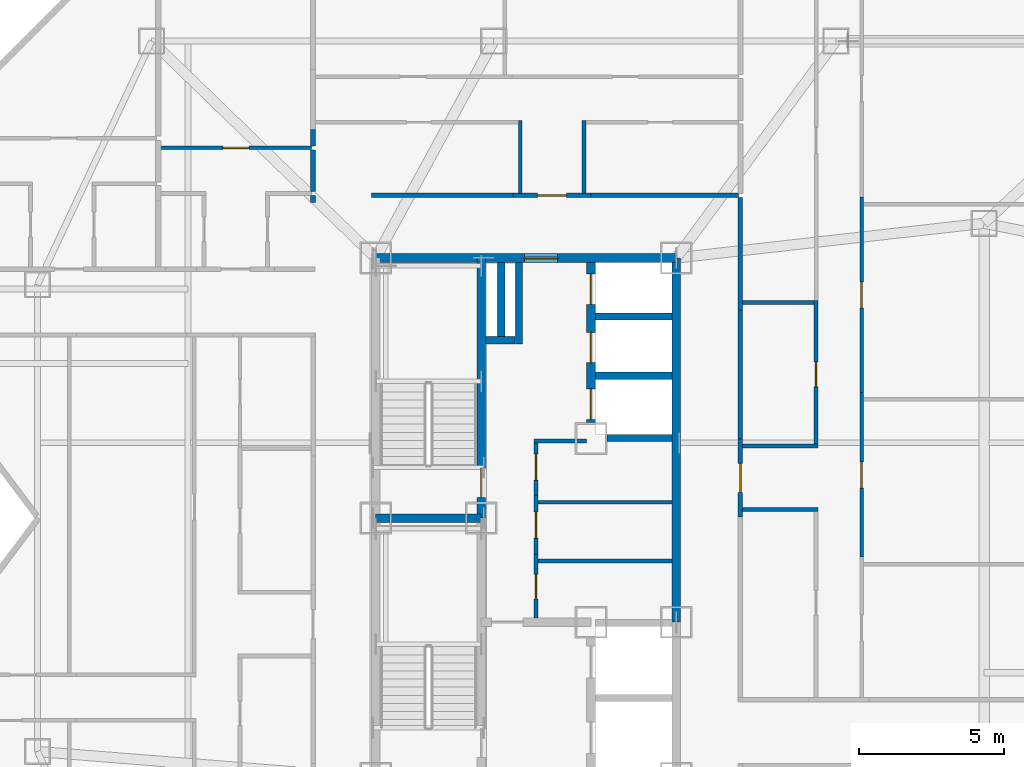
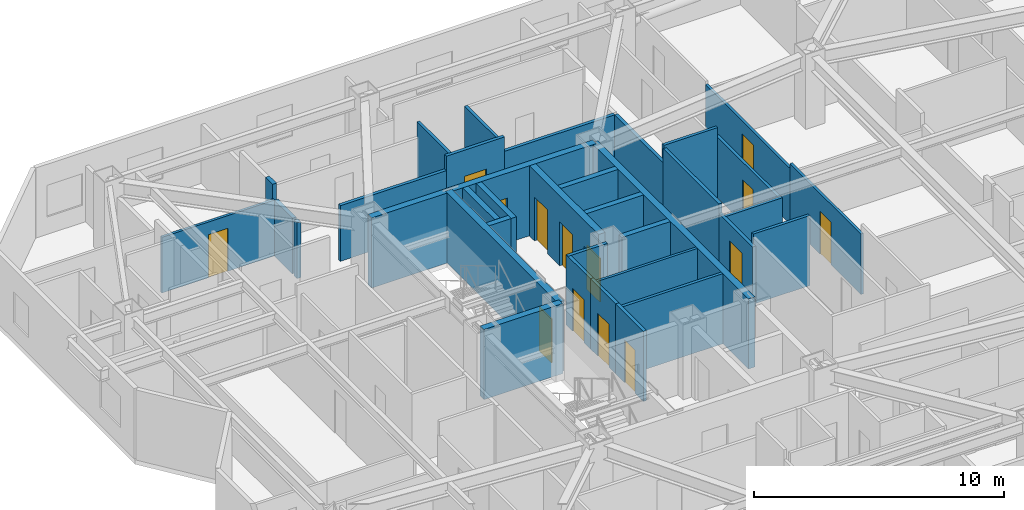
# One storey, part 8 of 12: 35 walls, 14 doors, 14 openings.
"""IFC4 building model written with IfcOpenShell, lengths in metres."""

from ifc_helpers import new_model, si_unit, direction, frame, frame_2d, origin, place, context, subcontext, project, spatial, rectangle, extrude, material, layer, layer_set, type_object, element, fill, save


model = new_model("IFC4")

# Units and contexts
model_context = context("Model", 3, precision=1e-05, world=origin(), true_north=direction((0.0, 1.0)))
body_context = subcontext(model_context, "Body", "Model", "MODEL_VIEW")
ifc_project = project(units=[si_unit("LENGTHUNIT", "METRE"), si_unit("AREAUNIT", "SQUARE_METRE"), si_unit("VOLUMEUNIT", "CUBIC_METRE"), si_unit("PLANEANGLEUNIT", "RADIAN"), si_unit("MASSUNIT", "GRAM", prefix="KILO")], contexts=[model_context])

# Site, building, storey
site_placement = place(None, origin())
site = spatial("IfcSite", under=ifc_project, at=site_placement, CompositionType="ELEMENT")
building_placement = place(site_placement, origin())
building = spatial("IfcBuilding", under=site, at=building_placement, Name="Khamvora Tower", CompositionType="ELEMENT")
storey_placement = place(building_placement, frame((0.0, 0.0, 188.75)))
storey = spatial("IfcBuildingStorey", under=building, at=storey_placement, Name="L48", CompositionType="ELEMENT", Elevation=188.75)

# Wall, opening, door
ifc_material_1 = material(Name="Concrete C50/60", Category="concrete")
ifc_layer_1 = layer(ifc_material_1, 0.300048828125)
ifc_layer_set_1 = layer_set([ifc_layer_1], Name="Concrete C50/60")
wall_type_1 = type_object("IfcWallType", Name="WAL-CORE-300", PredefinedType="SHEAR", material=ifc_layer_set_1)
wall_1_placement = place(storey_placement, frame((29.0, 37.0, 0.0), z_axis=(0.0, 0.0, 1.0), x_axis=(1.0, 0.0, 0.0)))
wall_1 = element("IfcWall", 1, at=wall_1_placement, inside=storey, type_object=wall_type_1, Name="L48 central core north wall", PredefinedType="SHEAR", context=body_context, shape_type="SweptSolid", body=[
    extrude(rectangle(XDim=10.39990234375, YDim=0.300048828125, at=frame_2d((5.199951171875, 0.0))), origin(), (0.0, 0.0, 1.0), 3.429931640625),
])
opening_1_placement = place(wall_1_placement, frame((5.139892578125, 0.0, 0.0)))
opening_1 = element("IfcOpeningElement", 2, at=opening_1_placement, cuts=wall_1, Name="Opening D-SC1", PredefinedType="OPENING", context=body_context, shape_type="SweptSolid", body=[
    extrude(rectangle(XDim=1.14990234375, YDim=2.199951171875, at=frame_2d((0.574951171875, 1.10009765625))), frame((0.0, 0.159912109375, 0.0), z_axis=(0.0, -1.0, 0.0), x_axis=(1.0, 0.0, 0.0)), (0.0, 0.0, 1.0), 0.320068359375),
])
ifc_material_2 = material(Name="Powder-Coated Steel and Hardwood Leaf", Category="steel")
door_type_1 = type_object("IfcDoorType", Name="DOR-SCHL-1150", OperationType="NOTDEFINED", PredefinedType="DOOR", material=ifc_material_2)
door_1_placement = place(opening_1_placement, origin())
door_1 = element("IfcDoor", 3, at=door_1_placement, inside=storey, type_object=door_type_1, Name="L48 north core lobby to corridor fire door", OperationType="SINGLE_SWING_RIGHT", OverallHeight=2.199951171875, OverallWidth=1.14990234375, PredefinedType="DOOR", context=body_context, shape_type="SweptSolid", body=[
    extrude(rectangle(XDim=1.14990234375, YDim=2.199951171875, at=frame_2d((0.574951171875, 1.10009765625))), frame((0.0, 0.02490234375, 0.0), z_axis=(0.0, -1.0, 0.0), x_axis=(1.0, 0.0, 0.0)), (0.0, 0.0, 1.0), 0.050048828125),
])
fill(opening_1, door_1)

# Wall
wall_2_placement = place(storey_placement, frame((39.39990234375, 24.39990234375, 0.0), z_axis=(0.0, 0.0, 1.0), x_axis=(0.0, 1.0, 0.0)))
element("IfcWall", 4, at=wall_2_placement, inside=storey, type_object=wall_type_1, Name="L48 central core east north wall", PredefinedType="SHEAR", context=body_context, shape_type="SweptSolid", body=[
    extrude(rectangle(XDim=12.60009765625, YDim=0.300048828125, at=frame_2d((6.300048828125, 0.0))), origin(), (0.0, 0.0, 1.0), 3.429931640625),
])

# Wall, opening, door
wall_3_placement = place(storey_placement, frame((32.64990234375, 28.0, 0.0), z_axis=(0.0, 0.0, 1.0), x_axis=(0.0, 1.0, 0.0)))
wall_3 = element("IfcWall", 5, at=wall_3_placement, inside=storey, type_object=wall_type_1, Name="L48 central core stair north spine wall", PredefinedType="SHEAR", context=body_context, shape_type="SweptSolid", body=[
    extrude(rectangle(XDim=9.0, YDim=0.300048828125, at=frame_2d((4.5, 0.0))), origin(), (0.0, 0.0, 1.0), 3.429931640625),
])
opening_2_placement = place(wall_3_placement, frame((0.719970703125, 0.0, 0.0)))
opening_2 = element("IfcOpeningElement", 6, at=opening_2_placement, cuts=wall_3, Name="Opening D-ST1", PredefinedType="OPENING", context=body_context, shape_type="SweptSolid", body=[
    extrude(rectangle(XDim=1.0, YDim=2.14990234375, at=frame_2d((0.5, 1.074951171875))), frame((0.0, 0.159912109375, 0.0), z_axis=(0.0, -1.0, 0.0), x_axis=(1.0, 0.0, 0.0)), (0.0, 0.0, 1.0), 0.320068359375),
])
door_type_2 = type_object("IfcDoorType", Name="DOR-STAIR-1000", OperationType="NOTDEFINED", PredefinedType="DOOR", material=ifc_material_2)
door_2_placement = place(opening_2_placement, origin())
door_2 = element("IfcDoor", 7, at=door_2_placement, inside=storey, type_object=door_type_2, Name="L48 exit stair ST-02 fire door", OperationType="SINGLE_SWING_RIGHT", OverallHeight=2.14990234375, OverallWidth=1.0, PredefinedType="DOOR", context=body_context, shape_type="SweptSolid", body=[
    extrude(rectangle(XDim=1.0, YDim=2.14990234375, at=frame_2d((0.5, 1.074951171875))), frame((0.0, 0.02490234375, 0.0), z_axis=(0.0, -1.0, 0.0), x_axis=(1.0, 0.0, 0.0)), (0.0, 0.0, 1.0), 0.050048828125),
])
fill(opening_2, door_2)

# Wall
wall_4_placement = place(storey_placement, frame((29.0, 28.0, 0.0), z_axis=(0.0, 0.0, 1.0), x_axis=(1.0, 0.0, 0.0)))
element("IfcWall", 8, at=wall_4_placement, inside=storey, type_object=wall_type_1, Name="L48 central core stair cross wall", PredefinedType="SHEAR", context=body_context, shape_type="SweptSolid", body=[
    extrude(rectangle(XDim=3.64990234375, YDim=0.300048828125, at=frame_2d((1.824951171875, 0.0))), origin(), (0.0, 0.0, 1.0), 3.429931640625),
])

# Wall, openings, doors
wall_5_placement = place(storey_placement, frame((36.449951171875, 31.300048828125, 0.0), z_axis=(0.0, 0.0, 1.0), x_axis=(0.0, 1.0, 0.0)))
wall_5 = element("IfcWall", 9, at=wall_5_placement, inside=storey, type_object=wall_type_1, Name="L48 central core lift bank central wall", PredefinedType="SHEAR", context=body_context, shape_type="SweptSolid", body=[
    extrude(rectangle(XDim=5.5458984375, YDim=0.300048828125, at=frame_2d((2.77294921875, 0.0))), origin(), (0.0, 0.0, 1.0), 3.429931640625),
])
opening_3_placement = place(wall_5_placement, frame((0.1201171875, 0.0, 0.0)))
opening_3 = element("IfcOpeningElement", 10, at=opening_3_placement, cuts=wall_5, Name="Opening LD-PL", PredefinedType="OPENING", context=body_context, shape_type="SweptSolid", body=[
    extrude(rectangle(XDim=1.050048828125, YDim=2.14990234375, at=frame_2d((0.52490234375, 1.074951171875))), frame((0.0, 0.159912109375, 0.0), z_axis=(0.0, -1.0, 0.0), x_axis=(1.0, 0.0, 0.0)), (0.0, 0.0, 1.0), 0.320068359375),
])
opening_4_placement = place(wall_5_placement, frame((2.074951171875, 0.0, 0.0)))
opening_4 = element("IfcOpeningElement", 11, at=opening_4_placement, cuts=wall_5, Name="Opening LD-PL", PredefinedType="OPENING", context=body_context, shape_type="SweptSolid", body=[
    extrude(rectangle(XDim=1.050048828125, YDim=2.14990234375, at=frame_2d((0.52490234375, 1.074951171875))), frame((0.0, 0.159912109375, 0.0), z_axis=(0.0, -1.0, 0.0), x_axis=(1.0, 0.0, 0.0)), (0.0, 0.0, 1.0), 0.320068359375),
])
opening_5_placement = place(wall_5_placement, frame((4.094970703125, 0.0, 0.0)))
opening_5 = element("IfcOpeningElement", 12, at=opening_5_placement, cuts=wall_5, Name="Opening LD-PL", PredefinedType="OPENING", context=body_context, shape_type="SweptSolid", body=[
    extrude(rectangle(XDim=1.050048828125, YDim=2.14990234375, at=frame_2d((0.52490234375, 1.074951171875))), frame((0.0, 0.159912109375, 0.0), z_axis=(0.0, -1.0, 0.0), x_axis=(1.0, 0.0, 0.0)), (0.0, 0.0, 1.0), 0.320068359375),
])
door_type_3 = type_object("IfcDoorType", Name="DOR-LIFT-1050", OperationType="SLIDING_TO_LEFT", PredefinedType="DOOR", material=ifc_material_2)
door_3_placement = place(opening_3_placement, origin())
door_3 = element("IfcDoor", 13, at=door_3_placement, inside=storey, type_object=door_type_3, Name="L48 lift landing sliding door PH-01", OperationType="SLIDING_TO_LEFT", OverallHeight=2.14990234375, OverallWidth=1.050048828125, PredefinedType="DOOR", context=body_context, shape_type="SweptSolid", body=[
    extrude(rectangle(XDim=1.050048828125, YDim=2.14990234375, at=frame_2d((0.52490234375, 1.074951171875))), frame((0.0, 0.02490234375, 0.0), z_axis=(0.0, -1.0, 0.0), x_axis=(1.0, 0.0, 0.0)), (0.0, 0.0, 1.0), 0.050048828125),
])
fill(opening_3, door_3)
door_4_placement = place(opening_4_placement, origin())
door_4 = element("IfcDoor", 14, at=door_4_placement, inside=storey, type_object=door_type_3, Name="L48 lift landing sliding door PH-02", OperationType="SLIDING_TO_LEFT", OverallHeight=2.14990234375, OverallWidth=1.050048828125, PredefinedType="DOOR", context=body_context, shape_type="SweptSolid", body=[
    extrude(rectangle(XDim=1.050048828125, YDim=2.14990234375, at=frame_2d((0.52490234375, 1.074951171875))), frame((0.0, 0.02490234375, 0.0), z_axis=(0.0, -1.0, 0.0), x_axis=(1.0, 0.0, 0.0)), (0.0, 0.0, 1.0), 0.050048828125),
])
fill(opening_4, door_4)
door_5_placement = place(opening_5_placement, origin())
door_5 = element("IfcDoor", 15, at=door_5_placement, inside=storey, type_object=door_type_3, Name="L48 lift landing sliding door PH-03", OperationType="SLIDING_TO_LEFT", OverallHeight=2.14990234375, OverallWidth=1.050048828125, PredefinedType="DOOR", context=body_context, shape_type="SweptSolid", body=[
    extrude(rectangle(XDim=1.050048828125, YDim=2.14990234375, at=frame_2d((0.52490234375, 1.074951171875))), frame((0.0, 0.02490234375, 0.0), z_axis=(0.0, -1.0, 0.0), x_axis=(1.0, 0.0, 0.0)), (0.0, 0.0, 1.0), 0.050048828125),
])
fill(opening_5, door_5)

# Wall, opening, door
ifc_material_3 = material(Name="Fire-Rated Drywall and Steel Stud", Category="steel")
ifc_layer_2 = layer(ifc_material_3, 0.14990234375)
ifc_layer_set_2 = layer_set([ifc_layer_2], Name="Fire-Rated Drywall and Steel Stud")
wall_type_2 = type_object("IfcWallType", Name="WAL-CORR-150", PredefinedType="STANDARD", material=ifc_layer_set_2)
wall_6_placement = place(storey_placement, frame((34.544921875, 26.763916015625, 0.0), z_axis=(0.0, 0.0, 1.0), x_axis=(0.0, -1.0, 0.0)))
wall_6 = element("IfcWall", 16, at=wall_6_placement, inside=storey, type_object=wall_type_2, Name="L48 interior partition wall 001", PredefinedType="STANDARD", context=body_context, shape_type="SweptSolid", body=[
    extrude(rectangle(XDim=2.219970703125, YDim=0.14990234375, at=frame_2d((1.10986328125, 0.0))), origin(), (0.0, 0.0, 1.0), 3.429931640625),
])
opening_6_placement = place(wall_6_placement, frame((0.7060546875, 0.0, 0.0)))
opening_6 = element("IfcOpeningElement", 17, at=opening_6_placement, cuts=wall_6, Name="Opening D-WC1", PredefinedType="OPENING", context=body_context, shape_type="SweptSolid", body=[
    extrude(rectangle(XDim=0.85009765625, YDim=2.10009765625, at=frame_2d((0.425048828125, 1.050048828125))), frame((0.0, 0.0849609375, 0.0), z_axis=(0.0, -1.0, 0.0), x_axis=(1.0, 0.0, 0.0)), (0.0, 0.0, 1.0), 0.169921875),
])
door_type_4 = type_object("IfcDoorType", Name="DOR-WET-850", OperationType="NOTDEFINED", PredefinedType="DOOR", material=ifc_material_2)
door_6_placement = place(opening_6_placement, origin())
door_6 = element("IfcDoor", 18, at=door_6_placement, inside=storey, type_object=door_type_4, Name="L48 interior door PHL-CS1", OperationType="SINGLE_SWING_LEFT", OverallHeight=2.10009765625, OverallWidth=0.85009765625, PredefinedType="DOOR", context=body_context, shape_type="SweptSolid", body=[
    extrude(rectangle(XDim=0.85009765625, YDim=2.10009765625, at=frame_2d((0.425048828125, 1.050048828125))), frame((0.0, 0.02490234375, 0.0), z_axis=(0.0, -1.0, 0.0), x_axis=(1.0, 0.0, 0.0)), (0.0, 0.0, 1.0), 0.050048828125),
])
fill(opening_6, door_6)

wall_7_placement = place(storey_placement, frame((34.544921875, 28.7939453125, 0.0), z_axis=(0.0, 0.0, 1.0), x_axis=(0.0, -1.0, 0.0)))
wall_7 = element("IfcWall", 19, at=wall_7_placement, inside=storey, type_object=wall_type_2, Name="L48 interior partition wall 002", PredefinedType="STANDARD", context=body_context, shape_type="SweptSolid", body=[
    extrude(rectangle(XDim=2.030029296875, YDim=0.14990234375, at=frame_2d((1.01513671875, 0.0))), origin(), (0.0, 0.0, 1.0), 3.429931640625),
])
opening_7_placement = place(wall_7_placement, frame((0.5859375, 0.0, 0.0)))
opening_7 = element("IfcOpeningElement", 20, at=opening_7_placement, cuts=wall_7, Name="Opening D-RM1", PredefinedType="OPENING", context=body_context, shape_type="SweptSolid", body=[
    extrude(rectangle(XDim=0.89990234375, YDim=2.10009765625, at=frame_2d((0.449951171875, 1.050048828125))), frame((0.0, 0.0849609375, 0.0), z_axis=(0.0, -1.0, 0.0), x_axis=(1.0, 0.0, 0.0)), (0.0, 0.0, 1.0), 0.169921875),
])
door_type_5 = type_object("IfcDoorType", Name="DOR-ROOM-900", OperationType="NOTDEFINED", PredefinedType="DOOR", material=ifc_material_2)
door_7_placement = place(opening_7_placement, origin())
door_7 = element("IfcDoor", 21, at=door_7_placement, inside=storey, type_object=door_type_5, Name="L48 interior door PHL-CS2", OperationType="SINGLE_SWING_RIGHT", OverallHeight=2.10009765625, OverallWidth=0.89990234375, PredefinedType="DOOR", context=body_context, shape_type="SweptSolid", body=[
    extrude(rectangle(XDim=0.89990234375, YDim=2.10009765625, at=frame_2d((0.449951171875, 1.050048828125))), frame((0.0, 0.02490234375, 0.0), z_axis=(0.0, -1.0, 0.0), x_axis=(1.0, 0.0, 0.0)), (0.0, 0.0, 1.0), 0.050048828125),
])
fill(opening_7, door_7)

# Wall
wall_8_placement = place(storey_placement, frame((36.300048828125, 30.6650390625, 0.0), z_axis=(0.0, 0.0, 1.0), x_axis=(-1.0, 0.0, 0.0)))
element("IfcWall", 22, at=wall_8_placement, inside=storey, type_object=wall_type_2, Name="L48 interior partition wall 003", PredefinedType="STANDARD", context=body_context, shape_type="SweptSolid", body=[
    extrude(rectangle(XDim=1.820068359375, YDim=0.14990234375, at=frame_2d((0.91015625, 0.0))), origin(), (0.0, 0.0, 1.0), 3.429931640625),
])

# Wall, opening, door
wall_9_placement = place(storey_placement, frame((34.544921875, 30.72998046875, 0.0), z_axis=(0.0, 0.0, 1.0), x_axis=(0.0, -1.0, 0.0)))
wall_9 = element("IfcWall", 23, at=wall_9_placement, inside=storey, type_object=wall_type_2, Name="L48 interior partition wall 004", PredefinedType="STANDARD", context=body_context, shape_type="SweptSolid", body=[
    extrude(rectangle(XDim=1.93603515625, YDim=0.14990234375, at=frame_2d((0.968017578125, 0.0))), origin(), (0.0, 0.0, 1.0), 3.429931640625),
])
opening_8_placement = place(wall_9_placement, frame((0.51806640625, 0.0, 0.0)))
opening_8 = element("IfcOpeningElement", 24, at=opening_8_placement, cuts=wall_9, Name="Opening D-RM1", PredefinedType="OPENING", context=body_context, shape_type="SweptSolid", body=[
    extrude(rectangle(XDim=0.89990234375, YDim=2.10009765625, at=frame_2d((0.449951171875, 1.050048828125))), frame((0.0, 0.0849609375, 0.0), z_axis=(0.0, -1.0, 0.0), x_axis=(1.0, 0.0, 0.0)), (0.0, 0.0, 1.0), 0.169921875),
])
door_8_placement = place(opening_8_placement, origin())
door_8 = element("IfcDoor", 25, at=door_8_placement, inside=storey, type_object=door_type_5, Name="L48 interior door PHL-CS3", OperationType="SINGLE_SWING_LEFT", OverallHeight=2.10009765625, OverallWidth=0.89990234375, PredefinedType="DOOR", context=body_context, shape_type="SweptSolid", body=[
    extrude(rectangle(XDim=0.89990234375, YDim=2.10009765625, at=frame_2d((0.449951171875, 1.050048828125))), frame((0.0, 0.02490234375, 0.0), z_axis=(0.0, -1.0, 0.0), x_axis=(1.0, 0.0, 0.0)), (0.0, 0.0, 1.0), 0.050048828125),
])
fill(opening_8, door_8)

wall_10_placement = place(storey_placement, frame((33.75, 39.1650390625, 0.0), z_axis=(0.0, 0.0, 1.0), x_axis=(1.0, 0.0, 0.0)))
wall_10 = element("IfcWall", 26, at=wall_10_placement, inside=storey, type_object=wall_type_2, Name="L48 interior partition wall 025", PredefinedType="STANDARD", context=body_context, shape_type="SweptSolid", body=[
    extrude(rectangle(XDim=2.697998046875, YDim=0.14990234375, at=frame_2d((1.34912109375, 0.0))), origin(), (0.0, 0.0, 1.0), 3.429931640625),
])
opening_9_placement = place(wall_10_placement, frame((0.84912109375, 0.0, 0.0)))
opening_9 = element("IfcOpeningElement", 27, at=opening_9_placement, cuts=wall_10, Name="Opening D-U1", PredefinedType="OPENING", context=body_context, shape_type="SweptSolid", body=[
    extrude(rectangle(XDim=1.0, YDim=2.14990234375, at=frame_2d((0.5, 1.074951171875))), frame((0.0, 0.0849609375, 0.0), z_axis=(0.0, -1.0, 0.0), x_axis=(1.0, 0.0, 0.0)), (0.0, 0.0, 1.0), 0.169921875),
])
door_type_6 = type_object("IfcDoorType", Name="DOR-UNIT-1000", OperationType="NOTDEFINED", PredefinedType="DOOR", material=ifc_material_2)
door_9_placement = place(opening_9_placement, origin())
door_9 = element("IfcDoor", 28, at=door_9_placement, inside=storey, type_object=door_type_6, Name="L48 interior door COR-48NAH", OperationType="SINGLE_SWING_LEFT", OverallHeight=2.14990234375, OverallWidth=1.0, PredefinedType="DOOR", context=body_context, shape_type="SweptSolid", body=[
    extrude(rectangle(XDim=1.0, YDim=2.14990234375, at=frame_2d((0.5, 1.074951171875))), frame((0.0, 0.02490234375, 0.0), z_axis=(0.0, -1.0, 0.0), x_axis=(1.0, 0.0, 0.0)), (0.0, 0.0, 1.0), 0.050048828125),
])
fill(opening_9, door_9)

# Walls
wall_11_placement = place(storey_placement, frame((36.447998046875, 39.1650390625, 0.0), z_axis=(0.0, 0.0, 1.0), x_axis=(1.0, 0.0, 0.0)))
element("IfcWall", 29, at=wall_11_placement, inside=storey, type_object=wall_type_2, Name="L48 interior partition wall 026", PredefinedType="STANDARD", context=body_context, shape_type="SweptSolid", body=[
    extrude(rectangle(XDim=5.10205078125, YDim=0.14990234375, at=frame_2d((2.551025390625, 0.0))), origin(), (0.0, 0.0, 1.0), 2.72509765625),
])
wall_12_placement = place(storey_placement, frame((28.85009765625, 39.1650390625, 0.0), z_axis=(0.0, 0.0, 1.0), x_axis=(1.0, 0.0, 0.0)))
element("IfcWall", 30, at=wall_12_placement, inside=storey, type_object=wall_type_2, Name="L48 interior partition wall 027", PredefinedType="STANDARD", context=body_context, shape_type="SweptSolid", body=[
    extrude(rectangle(XDim=4.89990234375, YDim=0.14990234375, at=frame_2d((2.449951171875, 0.0))), origin(), (0.0, 0.0, 1.0), 2.72509765625),
])
wall_13_placement = place(storey_placement, frame((41.614990234375, 39.10009765625, 0.0), z_axis=(0.0, 0.0, 1.0), x_axis=(0.0, -1.0, 0.0)))
element("IfcWall", 31, at=wall_13_placement, inside=storey, type_object=wall_type_2, Name="L48 interior partition wall 034", PredefinedType="STANDARD", context=body_context, shape_type="SweptSolid", body=[
    extrude(rectangle(XDim=3.89306640625, YDim=0.14990234375, at=frame_2d((1.946533203125, 0.0))), origin(), (0.0, 0.0, 1.0), 2.72509765625),
])

# Wall, opening, door
wall_14_placement = place(storey_placement, frame((41.614990234375, 30.739990234375, 0.0), z_axis=(0.0, 0.0, 1.0), x_axis=(0.0, -1.0, 0.0)))
wall_14 = element("IfcWall", 32, at=wall_14_placement, inside=storey, type_object=wall_type_2, Name="L48 interior partition wall 035", PredefinedType="STANDARD", context=body_context, shape_type="SweptSolid", body=[
    extrude(rectangle(XDim=2.697998046875, YDim=0.14990234375, at=frame_2d((1.34912109375, 0.0))), origin(), (0.0, 0.0, 1.0), 2.95703125),
])
opening_10_placement = place(wall_14_placement, frame((0.84912109375, 0.0, 0.0)))
opening_10 = element("IfcOpeningElement", 33, at=opening_10_placement, cuts=wall_14, Name="Opening D-U1", PredefinedType="OPENING", context=body_context, shape_type="SweptSolid", body=[
    extrude(rectangle(XDim=1.0, YDim=2.14990234375, at=frame_2d((0.5, 1.074951171875))), frame((0.0, 0.0849609375, 0.0), z_axis=(0.0, -1.0, 0.0), x_axis=(1.0, 0.0, 0.0)), (0.0, 0.0, 1.0), 0.169921875),
])
door_10_placement = place(opening_10_placement, origin())
door_10 = element("IfcDoor", 34, at=door_10_placement, inside=storey, type_object=door_type_6, Name="L48 interior door COR-48EBH", OperationType="SINGLE_SWING_LEFT", OverallHeight=2.14990234375, OverallWidth=1.0, PredefinedType="DOOR", context=body_context, shape_type="SweptSolid", body=[
    extrude(rectangle(XDim=1.0, YDim=2.14990234375, at=frame_2d((0.5, 1.074951171875))), frame((0.0, 0.02490234375, 0.0), z_axis=(0.0, -1.0, 0.0), x_axis=(1.0, 0.0, 0.0)), (0.0, 0.0, 1.0), 0.050048828125),
])
fill(opening_10, door_10)

# Walls
wall_15_placement = place(storey_placement, frame((41.614990234375, 35.20703125, 0.0), z_axis=(0.0, 0.0, 1.0), x_axis=(0.0, -1.0, 0.0)))
element("IfcWall", 35, at=wall_15_placement, inside=storey, type_object=wall_type_2, Name="L48 interior partition wall 037", PredefinedType="STANDARD", context=body_context, shape_type="SweptSolid", body=[
    extrude(rectangle(XDim=4.467041015625, YDim=0.14990234375, at=frame_2d((2.2333984375, 0.0))), origin(), (0.0, 0.0, 1.0), 3.429931640625),
])
ifc_material_4 = material(Name="Acoustic Double-Stud Fire Wall", Category="gypsum")
ifc_layer_3 = layer(ifc_material_4, 0.179931640625)
ifc_layer_set_3 = layer_set([ifc_layer_3], Name="Acoustic Double-Stud Fire Wall")
wall_type_3 = type_object("IfcWallType", Name="WAL-CORR-180", PredefinedType="STANDARD", material=ifc_layer_set_3)
wall_16_placement = place(storey_placement, frame((26.8349609375, 40.741943359375, 0.0), z_axis=(0.0, 0.0, 1.0), x_axis=(0.0, -1.0, 0.0)))
element("IfcWall", 36, at=wall_16_placement, inside=storey, type_object=wall_type_3, Name="L48 interior partition wall 078", PredefinedType="STANDARD", context=body_context, shape_type="SweptSolid", body=[
    extrude(rectangle(XDim=1.449951171875, YDim=0.179931640625, at=frame_2d((0.72509765625, 0.0))), origin(), (0.0, 0.0, 1.0), 2.72509765625),
])
wall_17_placement = place(storey_placement, frame((26.8349609375, 39.162109375, 0.0), z_axis=(0.0, 0.0, 1.0), x_axis=(0.0, -1.0, 0.0)))
element("IfcWall", 37, at=wall_17_placement, inside=storey, type_object=wall_type_3, Name="L48 interior partition wall 079", PredefinedType="STANDARD", context=body_context, shape_type="SweptSolid", body=[
    extrude(rectangle(XDim=0.24609375, YDim=0.179931640625, at=frame_2d((0.123046875, 0.0))), origin(), (0.0, 0.0, 1.0), 2.72509765625),
])
wall_18_placement = place(storey_placement, frame((26.8349609375, 41.446044921875, 0.0), z_axis=(0.0, 0.0, 1.0), x_axis=(0.0, -1.0, 0.0)))
element("IfcWall", 38, at=wall_18_placement, inside=storey, type_object=wall_type_3, Name="L48 interior partition wall 081", PredefinedType="STANDARD", context=body_context, shape_type="SweptSolid", body=[
    extrude(rectangle(XDim=0.573974609375, YDim=0.179931640625, at=frame_2d((0.287109375, 0.0))), origin(), (0.0, 0.0, 1.0), 3.429931640625),
])
ifc_material_5 = material(Name="Gypsum Plasterboard Partition", Category="gypsum")
ifc_layer_4 = layer(ifc_material_5, 0.1201171875)
ifc_layer_set_4 = layer_set([ifc_layer_4], Name="Gypsum Plasterboard Partition")
wall_type_4 = type_object("IfcWallType", Name="WAL-PART-120", PredefinedType="PARTITIONING", material=ifc_layer_set_4)
wall_19_placement = place(storey_placement, frame((34.612060546875, 28.544921875, 0.0), z_axis=(0.0, 0.0, 1.0), x_axis=(1.0, 0.0, 0.0)))
element("IfcWall", 39, at=wall_19_placement, inside=storey, type_object=wall_type_4, Name="L48 interior partition wall 006", PredefinedType="PARTITIONING", context=body_context, shape_type="SweptSolid", body=[
    extrude(rectangle(XDim=4.64404296875, YDim=0.1201171875, at=frame_2d((2.322021484375, 0.0))), origin(), (0.0, 0.0, 1.0), 3.429931640625),
])

# Wall, opening, door
wall_20_placement = place(storey_placement, frame((21.556884765625, 40.806884765625, 0.0), z_axis=(0.0, 0.0, 1.0), x_axis=(1.0, 0.0, 0.0)))
wall_20 = element("IfcWall", 40, at=wall_20_placement, inside=storey, type_object=wall_type_4, Name="L48 interior partition wall 077", PredefinedType="PARTITIONING", context=body_context, shape_type="SweptSolid", body=[
    extrude(rectangle(XDim=5.213134765625, YDim=0.1201171875, at=frame_2d((2.6064453125, 0.0))), origin(), (0.0, 0.0, 1.0), 2.72509765625),
])
opening_11_placement = place(wall_20_placement, frame((2.156005859375, 0.0, 0.0)))
opening_11 = element("IfcOpeningElement", 41, at=opening_11_placement, cuts=wall_20, Name="Opening D-RM1", PredefinedType="OPENING", context=body_context, shape_type="SweptSolid", body=[
    extrude(rectangle(XDim=0.89990234375, YDim=2.10009765625, at=frame_2d((0.449951171875, 1.050048828125))), frame((0.0, 0.070068359375, 0.0), z_axis=(0.0, -1.0, 0.0), x_axis=(1.0, 0.0, 0.0)), (0.0, 0.0, 1.0), 0.14013671875),
])
door_11_placement = place(opening_11_placement, origin())
door_11 = element("IfcDoor", 42, at=door_11_placement, inside=storey, type_object=door_type_5, Name="L48 interior door 48WCH-48WCR1", OperationType="SINGLE_SWING_RIGHT", OverallHeight=2.10009765625, OverallWidth=0.89990234375, PredefinedType="DOOR", context=body_context, shape_type="SweptSolid", body=[
    extrude(rectangle(XDim=0.89990234375, YDim=2.10009765625, at=frame_2d((0.449951171875, 1.050048828125))), frame((0.0, 0.02490234375, 0.0), z_axis=(0.0, -1.0, 0.0), x_axis=(1.0, 0.0, 0.0)), (0.0, 0.0, 1.0), 0.050048828125),
])
fill(opening_11, door_11)

wall_21_placement = place(storey_placement, frame((45.81201171875, 32.35400390625, 0.0), z_axis=(0.0, 0.0, 1.0), x_axis=(0.0, -1.0, 0.0)))
wall_21 = element("IfcWall", 43, at=wall_21_placement, inside=storey, type_object=wall_type_4, Name="L48 interior partition wall 125", PredefinedType="PARTITIONING", context=body_context, shape_type="SweptSolid", body=[
    extrude(rectangle(XDim=5.695068359375, YDim=0.1201171875, at=frame_2d((2.84765625, 0.0))), origin(), (0.0, 0.0, 1.0), 2.95703125),
])
opening_12_placement = place(wall_21_placement, frame((2.41796875, 0.0, 0.0)))
opening_12 = element("IfcOpeningElement", 44, at=opening_12_placement, cuts=wall_21, Name="Opening D-RM1", PredefinedType="OPENING", context=body_context, shape_type="SweptSolid", body=[
    extrude(rectangle(XDim=0.89990234375, YDim=2.10009765625, at=frame_2d((0.449951171875, 1.050048828125))), frame((0.0, 0.070068359375, 0.0), z_axis=(0.0, -1.0, 0.0), x_axis=(1.0, 0.0, 0.0)), (0.0, 0.0, 1.0), 0.14013671875),
])
door_12_placement = place(opening_12_placement, origin())
door_12 = element("IfcDoor", 45, at=door_12_placement, inside=storey, type_object=door_type_5, Name="L48 interior door 48EBH-48EBR2", OperationType="SINGLE_SWING_RIGHT", OverallHeight=2.10009765625, OverallWidth=0.89990234375, PredefinedType="DOOR", context=body_context, shape_type="SweptSolid", body=[
    extrude(rectangle(XDim=0.89990234375, YDim=2.10009765625, at=frame_2d((0.449951171875, 1.050048828125))), frame((0.0, 0.02490234375, 0.0), z_axis=(0.0, -1.0, 0.0), x_axis=(1.0, 0.0, 0.0)), (0.0, 0.0, 1.0), 0.050048828125),
])
fill(opening_12, door_12)

wall_22_placement = place(storey_placement, frame((45.81201171875, 39.114013671875, 0.0), z_axis=(0.0, 0.0, 1.0), x_axis=(0.0, -1.0, 0.0)))
wall_22 = element("IfcWall", 46, at=wall_22_placement, inside=storey, type_object=wall_type_4, Name="L48 interior partition wall 126", PredefinedType="PARTITIONING", context=body_context, shape_type="SweptSolid", body=[
    extrude(rectangle(XDim=6.760009765625, YDim=0.1201171875, at=frame_2d((3.3798828125, 0.0))), origin(), (0.0, 0.0, 1.0), 2.72509765625),
])
opening_13_placement = place(wall_22_placement, frame((2.950927734375, 0.0, 0.0)))
opening_13 = element("IfcOpeningElement", 47, at=opening_13_placement, cuts=wall_22, Name="Opening D-RM1", PredefinedType="OPENING", context=body_context, shape_type="SweptSolid", body=[
    extrude(rectangle(XDim=0.89990234375, YDim=2.10009765625, at=frame_2d((0.449951171875, 1.050048828125))), frame((0.0, 0.070068359375, 0.0), z_axis=(0.0, -1.0, 0.0), x_axis=(1.0, 0.0, 0.0)), (0.0, 0.0, 1.0), 0.14013671875),
])
door_13_placement = place(opening_13_placement, origin())
door_13 = element("IfcDoor", 48, at=door_13_placement, inside=storey, type_object=door_type_5, Name="L48 interior door 48EBH-48EBR3", OperationType="SINGLE_SWING_LEFT", OverallHeight=2.10009765625, OverallWidth=0.89990234375, PredefinedType="DOOR", context=body_context, shape_type="SweptSolid", body=[
    extrude(rectangle(XDim=0.89990234375, YDim=2.10009765625, at=frame_2d((0.449951171875, 1.050048828125))), frame((0.0, 0.02490234375, 0.0), z_axis=(0.0, -1.0, 0.0), x_axis=(1.0, 0.0, 0.0)), (0.0, 0.0, 1.0), 0.050048828125),
])
fill(opening_13, door_13)

# Walls
ifc_material_6 = material(Name="Concrete C40/50", Category="concrete")
ifc_layer_5 = layer(ifc_material_6, 0.25)
ifc_layer_set_5 = layer_set([ifc_layer_5], Name="Concrete C40/50")
wall_type_5 = type_object("IfcWallType", Name="WAL-PODS-250", PredefinedType="SHEAR", material=ifc_layer_set_5)
wall_23_placement = place(storey_placement, frame((37.00390625, 30.77490234375, 0.0), z_axis=(0.0, 0.0, 1.0), x_axis=(1.0, 0.0, 0.0)))
element("IfcWall", 49, at=wall_23_placement, inside=storey, type_object=wall_type_5, Name="L48 high-rise lift shaft south enclosure wall PH-01", PredefinedType="SHEAR", context=body_context, shape_type="SweptSolid", body=[
    extrude(rectangle(XDim=2.2421875, YDim=0.25, at=frame_2d((1.12109375, 0.0))), origin(), (0.0, 0.0, 1.0), 3.429931640625),
])
for number, where, z_axis, x_axis, name in (
    (50, (36.60400390625, 32.925048828125, 0.0), (0.0, 0.0, 1.0), (1.0, 0.0, 0.0), "L48 lift shaft divider wall PH-01"),
    (51, (36.60400390625, 34.97509765625, 0.0), (0.0, 0.0, 1.0), (1.0, 0.0, 0.0), "L48 lift shaft divider wall PH-02"),
):
    element("IfcWall", number, at=place(storey_placement, frame(where, z_axis=z_axis, x_axis=x_axis)), inside=storey, type_object=wall_type_5, Name=name, PredefinedType="SHEAR", context=body_context, shape_type="SweptSolid", body=[
        extrude(rectangle(XDim=2.64208984375, YDim=0.25, at=frame_2d((1.321044921875, 0.0))), origin(), (0.0, 0.0, 1.0), 3.429931640625),
    ])
wall_24_placement = place(storey_placement, frame((33.955078125, 34.02490234375, 0.0), z_axis=(0.0, 0.0, 1.0), x_axis=(0.0, 1.0, 0.0)))
element("IfcWall", 52, at=wall_24_placement, inside=storey, type_object=wall_type_5, Name="L48 vertical MEP riser shaft east enclosure wall", PredefinedType="SHEAR", context=body_context, shape_type="SweptSolid", body=[
    extrude(rectangle(XDim=2.821044921875, YDim=0.25, at=frame_2d((1.41064453125, 0.0))), origin(), (0.0, 0.0, 1.0), 3.429931640625),
])
wall_25_placement = place(storey_placement, frame((32.803955078125, 34.14990234375, 0.0), z_axis=(0.0, 0.0, 1.0), x_axis=(1.0, 0.0, 0.0)))
element("IfcWall", 53, at=wall_25_placement, inside=storey, type_object=wall_type_5, Name="L48 vertical MEP riser shaft south enclosure wall", PredefinedType="SHEAR", context=body_context, shape_type="SweptSolid", body=[
    extrude(rectangle(XDim=1.02197265625, YDim=0.25, at=frame_2d((0.510986328125, 0.0))), origin(), (0.0, 0.0, 1.0), 3.429931640625),
])
wall_26_placement = place(storey_placement, frame((33.340087890625, 34.279052734375, 0.0), z_axis=(0.0, 0.0, 1.0), x_axis=(0.0, 1.0, 0.0)))
element("IfcWall", 54, at=wall_26_placement, inside=storey, type_object=wall_type_5, Name="L48 vertical MEP riser shaft divider enclosure wall", PredefinedType="SHEAR", context=body_context, shape_type="SweptSolid", body=[
    extrude(rectangle(XDim=2.56689453125, YDim=0.25, at=frame_2d((1.283447265625, 0.0))), origin(), (0.0, 0.0, 1.0), 3.429931640625),
])
ifc_material_7 = material(Name="Moisture-Resistant Plasterboard Partition", Category="gypsum")
ifc_layer_6 = layer(ifc_material_7, 0.135009765625)
ifc_layer_set_6 = layer_set([ifc_layer_6], Name="Moisture-Resistant Plasterboard Partition")
wall_type_6 = type_object("IfcWallType", Name="WAL-WET-135", PredefinedType="PARTITIONING", material=ifc_layer_set_6)
wall_27_placement = place(storey_placement, frame((34.612060546875, 26.514892578125, 0.0), z_axis=(0.0, 0.0, 1.0), x_axis=(1.0, 0.0, 0.0)))
element("IfcWall", 55, at=wall_27_placement, inside=storey, type_object=wall_type_6, Name="L48 interior partition wall 005", PredefinedType="PARTITIONING", context=body_context, shape_type="SweptSolid", body=[
    extrude(rectangle(XDim=4.64404296875, YDim=0.135009765625, at=frame_2d((2.322021484375, 0.0))), origin(), (0.0, 0.0, 1.0), 3.429931640625),
])
for number, where, z_axis, x_axis, name in (
    (56, (36.198974609375, 41.760009765625, 0.0), (0.0, 0.0, 1.0), (0.0, -1.0, 0.0), "L48 interior partition wall 094"),
    (57, (33.9990234375, 39.23193359375, 0.0), (0.0, 0.0, 1.0), (0.0, 1.0, 0.0), "L48 interior partition wall 095"),
):
    element("IfcWall", number, at=place(storey_placement, frame(where, z_axis=z_axis, x_axis=x_axis)), inside=storey, type_object=wall_type_6, Name=name, PredefinedType="PARTITIONING", context=body_context, shape_type="SweptSolid", body=[
        extrude(rectangle(XDim=2.528076171875, YDim=0.135009765625, at=frame_2d((1.26416015625, 0.0))), origin(), (0.0, 0.0, 1.0), 3.429931640625),
    ])
wall_28_placement = place(storey_placement, frame((44.1669921875, 35.4560546875, 0.0), z_axis=(0.0, 0.0, 1.0), x_axis=(-1.0, 0.0, 0.0)))
element("IfcWall", 58, at=wall_28_placement, inside=storey, type_object=wall_type_6, Name="L48 interior partition wall 119", PredefinedType="PARTITIONING", context=body_context, shape_type="SweptSolid", body=[
    extrude(rectangle(XDim=2.485107421875, YDim=0.135009765625, at=frame_2d((1.24267578125, 0.0))), origin(), (0.0, 0.0, 1.0), 3.429931640625),
])
wall_29_placement = place(storey_placement, frame((41.681884765625, 30.490966796875, 0.0), z_axis=(0.0, 0.0, 1.0), x_axis=(1.0, 0.0, 0.0)))
element("IfcWall", 59, at=wall_29_placement, inside=storey, type_object=wall_type_6, Name="L48 interior partition wall 120", PredefinedType="PARTITIONING", context=body_context, shape_type="SweptSolid", body=[
    extrude(rectangle(XDim=2.615234375, YDim=0.135009765625, at=frame_2d((1.3076171875, 0.0))), origin(), (0.0, 0.0, 1.0), 2.95703125),
])

# Wall, opening, door
wall_30_placement = place(storey_placement, frame((44.23193359375, 30.426025390625, 0.0), z_axis=(0.0, 0.0, 1.0), x_axis=(0.0, 1.0, 0.0)))
wall_30 = element("IfcWall", 60, at=wall_30_placement, inside=storey, type_object=wall_type_6, Name="L48 interior partition wall 121", PredefinedType="PARTITIONING", context=body_context, shape_type="SweptSolid", body=[
    extrude(rectangle(XDim=5.094970703125, YDim=0.135009765625, at=frame_2d((2.54736328125, 0.0))), origin(), (0.0, 0.0, 1.0), 2.95703125),
])
opening_14_placement = place(wall_30_placement, frame((2.123046875, 0.0, 0.0)))
opening_14 = element("IfcOpeningElement", 61, at=opening_14_placement, cuts=wall_30, Name="Opening D-WC1", PredefinedType="OPENING", context=body_context, shape_type="SweptSolid", body=[
    extrude(rectangle(XDim=0.85009765625, YDim=2.10009765625, at=frame_2d((0.425048828125, 1.050048828125))), frame((0.0, 0.077392578125, 0.0), z_axis=(0.0, -1.0, 0.0), x_axis=(1.0, 0.0, 0.0)), (0.0, 0.0, 1.0), 0.155029296875),
])
door_14_placement = place(opening_14_placement, origin())
door_14 = element("IfcDoor", 62, at=door_14_placement, inside=storey, type_object=door_type_4, Name="L48 interior door 48EBH-48EBB", OperationType="SINGLE_SWING_LEFT", OverallHeight=2.10009765625, OverallWidth=0.85009765625, PredefinedType="DOOR", context=body_context, shape_type="SweptSolid", body=[
    extrude(rectangle(XDim=0.85009765625, YDim=2.10009765625, at=frame_2d((0.425048828125, 1.050048828125))), frame((0.0, 0.02490234375, 0.0), z_axis=(0.0, -1.0, 0.0), x_axis=(1.0, 0.0, 0.0)), (0.0, 0.0, 1.0), 0.050048828125),
])
fill(opening_14, door_14)

# Wall
wall_31_placement = place(storey_placement, frame((44.297119140625, 28.291015625, 0.0), z_axis=(0.0, 0.0, 1.0), x_axis=(-1.0, 0.0, 0.0)))
element("IfcWall", 63, at=wall_31_placement, inside=storey, type_object=wall_type_6, Name="L48 interior partition wall 123", PredefinedType="PARTITIONING", context=body_context, shape_type="SweptSolid", body=[
    extrude(rectangle(XDim=2.615234375, YDim=0.135009765625, at=frame_2d((1.3076171875, 0.0))), origin(), (0.0, 0.0, 1.0), 3.429931640625),
])

save(model, "model.ifc")
